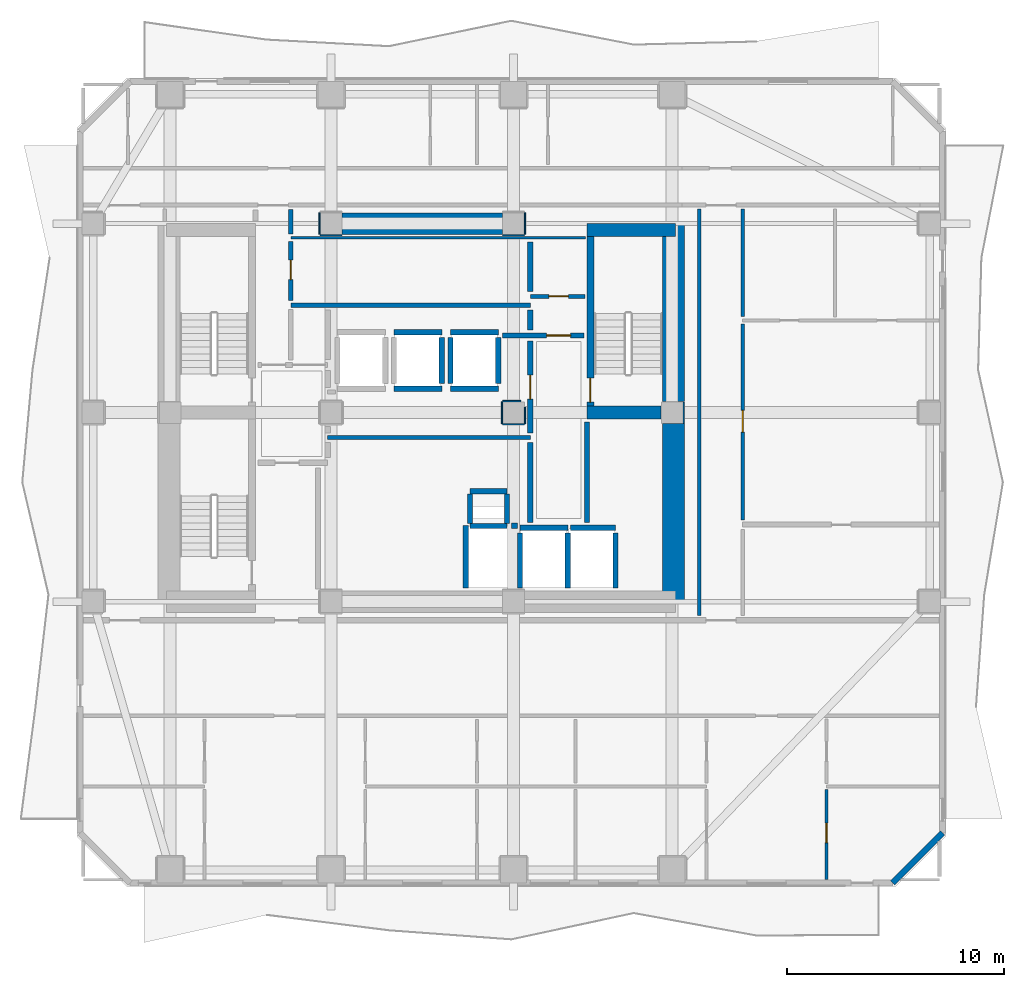
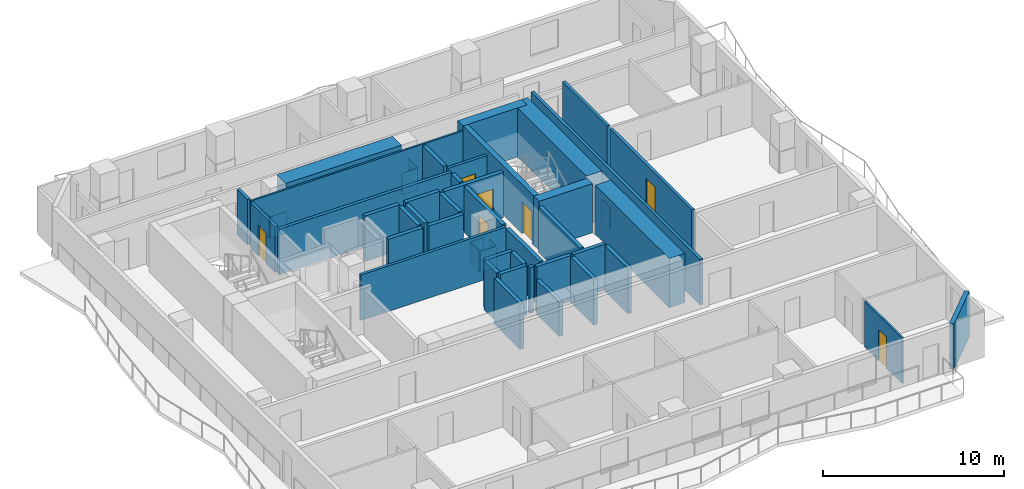
# One storey, part 4 of 9: 50 walls, 7 doors, 7 openings.
"""IFC4 building model written with IfcOpenShell, lengths in metres."""

from ifc_helpers import new_model, si_unit, direction, frame, frame_2d, origin, place, context, subcontext, project, spatial, rectangle, extrude, material, layer, layer_set, type_object, element, fill, save


model = new_model("IFC4")

# Units and contexts
model_context = context("Model", 3, precision=1e-05, world=origin(), true_north=direction((0.0, 1.0)))
body_context = subcontext(model_context, "Body", "Model", "MODEL_VIEW")
ifc_project = project(units=[si_unit("LENGTHUNIT", "METRE"), si_unit("AREAUNIT", "SQUARE_METRE"), si_unit("VOLUMEUNIT", "CUBIC_METRE"), si_unit("PLANEANGLEUNIT", "RADIAN"), si_unit("MASSUNIT", "GRAM", prefix="KILO")], contexts=[model_context])

# Site, building, storey
site_placement = place(None, origin())
site = spatial("IfcSite", under=ifc_project, at=site_placement, CompositionType="ELEMENT")
building_placement = place(site_placement, origin())
building = spatial("IfcBuilding", under=site, at=building_placement, Name="Solanera Arch Residences", CompositionType="ELEMENT")
storey_placement = place(building_placement, frame((0.0, 0.0, 129.320068359375)))
storey = spatial("IfcBuildingStorey", under=building, at=storey_placement, Name="L37", CompositionType="ELEMENT", Elevation=129.320068359375)

# Walls
ifc_material_1 = material(Name="Fire-Rated Gypsum Stud Partition", Category="gypsum")
ifc_layer_1 = layer(ifc_material_1, 0.06005859375)
ifc_layer_set_1 = layer_set([ifc_layer_1], Name="Fire-Rated Gypsum Stud Partition")
wall_type_1 = type_object("IfcWallType", Name="Column Acoustic Furring Wall 60", PredefinedType="PARTITIONING", material=ifc_layer_set_1)
for number, where, z_axis, x_axis, name in (
    (1, (20.300048828125, 38.867919921875, 0.0), (0.0, 0.0, 1.0), (1.0, 0.0, 0.0), "L37 Column Furring 3S"),
    (2, (20.26806640625, 38.89990234375, 0.0), (0.0, 0.0, 1.0), (0.0, 1.0, 0.0), "L37 Column Furring 3W"),
    (3, (28.699951171875, 38.867919921875, 0.0), (0.0, 0.0, 1.0), (1.0, 0.0, 0.0), "L37 Column Furring 4S"),
    (4, (29.73193359375, 38.89990234375, 0.0), (0.0, 0.0, 1.0), (0.0, 1.0, 0.0), "L37 Column Furring 4E"),
):
    element("IfcWall", number, at=place(storey_placement, frame(where, z_axis=z_axis, x_axis=x_axis)), inside=storey, type_object=wall_type_1, Name=name, PredefinedType="PARTITIONING", context=body_context, shape_type="SweptSolid", body=[
        extrude(rectangle(XDim=1.0, YDim=0.06005859375, at=frame_2d((0.5, 0.0))), origin(), (0.0, 0.0, 1.0), 1.449951171875),
    ])
wall_1_placement = place(storey_placement, frame((37.031982421875, 30.2099609375, 0.0), z_axis=(0.0, 0.0, 1.0), x_axis=(0.0, 1.0, 0.0)))
element("IfcWall", 5, at=wall_1_placement, inside=storey, type_object=wall_type_1, Name="L37 Column Furring 6E", PredefinedType="PARTITIONING", context=body_context, shape_type="SweptSolid", body=[
    extrude(rectangle(XDim=0.97998046875, YDim=0.06005859375, at=frame_2d((0.489990234375, 0.0))), origin(), (0.0, 0.0, 1.0), 1.449951171875),
])
wall_2_placement = place(storey_placement, frame((28.699951171875, 30.16796875, 0.0), z_axis=(0.0, 0.0, 1.0), x_axis=(1.0, 0.0, 0.0)))
element("IfcWall", 6, at=wall_2_placement, inside=storey, type_object=wall_type_1, Name="L37 Column Furring 8S", PredefinedType="PARTITIONING", context=body_context, shape_type="SweptSolid", body=[
    extrude(rectangle(XDim=1.0, YDim=0.06005859375, at=frame_2d((0.5, 0.0))), origin(), (0.0, 0.0, 1.0), 1.449951171875),
])
wall_3_placement = place(storey_placement, frame((28.699951171875, 31.23193359375, 0.0), z_axis=(0.0, 0.0, 1.0), x_axis=(1.0, 0.0, 0.0)))
element("IfcWall", 7, at=wall_3_placement, inside=storey, type_object=wall_type_1, Name="L37 Column Furring 8N", PredefinedType="PARTITIONING", context=body_context, shape_type="SweptSolid", body=[
    extrude(rectangle(XDim=0.8349609375, YDim=0.06005859375, at=frame_2d((0.41748046875, 0.0))), origin(), (0.0, 0.0, 1.0), 1.449951171875),
])
wall_4_placement = place(storey_placement, frame((28.66796875, 30.199951171875, 0.0), z_axis=(0.0, 0.0, 1.0), x_axis=(0.0, 1.0, 0.0)))
element("IfcWall", 8, at=wall_4_placement, inside=storey, type_object=wall_type_1, Name="L37 Column Furring 8W", PredefinedType="PARTITIONING", context=body_context, shape_type="SweptSolid", body=[
    extrude(rectangle(XDim=1.0, YDim=0.06005859375, at=frame_2d((0.5, 0.0))), origin(), (0.0, 0.0, 1.0), 1.449951171875),
])
wall_5_placement = place(storey_placement, frame((29.73193359375, 30.199951171875, 0.0), z_axis=(0.0, 0.0, 1.0), x_axis=(0.0, 1.0, 0.0)))
element("IfcWall", 9, at=wall_5_placement, inside=storey, type_object=wall_type_1, Name="L37 Column Furring 8E", PredefinedType="PARTITIONING", context=body_context, shape_type="SweptSolid", body=[
    extrude(rectangle(XDim=0.7470703125, YDim=0.06005859375, at=frame_2d((0.37353515625, 0.0))), origin(), (0.0, 0.0, 1.0), 1.449951171875),
])
ifc_material_2 = material(Name="Concrete C55/67 (f'c = 60 MPa)", Category="concrete")
ifc_layer_2 = layer(ifc_material_2, 1.0)
ifc_layer_set_2 = layer_set([ifc_layer_2], Name="Concrete C55/67 (f'c = 60 MPa)")
wall_type_2 = type_object("IfcWallType", Name="Core Shear Wall CW-1000", PredefinedType="SHEAR", material=ifc_layer_set_2)
wall_6_placement = place(storey_placement, frame((36.56005859375, 22.0, 0.0), z_axis=(0.0, 0.0, 1.0), x_axis=(0.0, 1.0, 0.0)))
element("IfcWall", 10, at=wall_6_placement, inside=storey, type_object=wall_type_2, Name="L37 East Core South Shear Wall", PredefinedType="SHEAR", context=body_context, shape_type="SweptSolid", body=[
    extrude(rectangle(XDim=8.195068359375, YDim=1.0, at=frame_2d((4.09765625, 0.0))), origin(), (0.0, 0.0, 1.0), 3.31982421875),
])
wall_7_placement = place(storey_placement, frame((36.56005859375, 31.205078125, 0.0), z_axis=(0.0, 0.0, 1.0), x_axis=(0.0, 1.0, 0.0)))
element("IfcWall", 11, at=wall_7_placement, inside=storey, type_object=wall_type_2, Name="L37 East Core North Shear Wall", PredefinedType="SHEAR", context=body_context, shape_type="SweptSolid", body=[
    extrude(rectangle(XDim=8.19482421875, YDim=1.0, at=frame_2d((4.097412109375, 0.0))), origin(), (0.0, 0.0, 1.0), 3.31982421875),
])
wall_8_placement = place(storey_placement, frame((21.304931640625, 39.39990234375, 0.0), z_axis=(0.0, 0.0, 1.0), x_axis=(1.0, 0.0, 0.0)))
element("IfcWall", 12, at=wall_8_placement, inside=storey, type_object=wall_type_2, Name="L37 Central North Core Shear Wall", PredefinedType="SHEAR", context=body_context, shape_type="SweptSolid", body=[
    extrude(rectangle(XDim=7.39013671875, YDim=1.0, at=frame_2d((3.695068359375, 0.0))), origin(), (0.0, 0.0, 1.0), 3.31982421875),
])

# Wall, opening, door
ifc_material_3 = material(Name="Concrete C40/50 (f'c = 45 MPa)", Category="concrete")
ifc_layer_3 = layer(ifc_material_3, 0.320068359375)
ifc_layer_set_3 = layer_set([ifc_layer_3], Name="Concrete C40/50 (f'c = 45 MPa)")
wall_type_3 = type_object("IfcWallType", Name="Core Shear Wall CW-320", PredefinedType="SHEAR", material=ifc_layer_set_3)
wall_9_placement = place(storey_placement, frame((32.739990234375, 31.0, 0.0), z_axis=(0.0, 0.0, 1.0), x_axis=(0.0, 1.0, 0.0)))
wall_9 = element("IfcWall", 13, at=wall_9_placement, inside=storey, type_object=wall_type_3, Name="L37 Stair ST-T2 West Shear Wall", PredefinedType="SHEAR", context=body_context, shape_type="SweptSolid", body=[
    extrude(rectangle(XDim=7.800048828125, YDim=0.320068359375, at=frame_2d((3.89990234375, 0.0))), origin(), (0.0, 0.0, 1.0), 3.31982421875),
])
opening_1_placement = place(wall_9_placement, frame((0.18994140625, 0.0, 0.0)))
opening_1 = element("IfcOpeningElement", 14, at=opening_1_placement, cuts=wall_9, Name="Opening DF-01", PredefinedType="OPENING", context=body_context, shape_type="SweptSolid", body=[
    extrude(rectangle(XDim=1.10009765625, YDim=2.14990234375, at=frame_2d((0.550048828125, 1.074951171875))), frame((0.0, 0.169921875, 0.0), z_axis=(0.0, -1.0, 0.0), x_axis=(1.0, 0.0, 0.0)), (0.0, 0.0, 1.0), 0.3401),
])
ifc_material_4 = material(Name="Fire-Rated Architectural Hardwood", Category="wood")
door_type_1 = type_object("IfcDoorType", Name="Stair Exit Fire Door DF-01", OperationType="NOTDEFINED", PredefinedType="DOOR", material=ifc_material_4)
door_1_placement = place(opening_1_placement, origin())
door_1 = element("IfcDoor", 15, at=door_1_placement, inside=storey, type_object=door_type_1, Name="DR-L37-STAIR-ST-T2", OperationType="SINGLE_SWING_LEFT", OverallHeight=2.14990234375, OverallWidth=1.10009765625, PredefinedType="DOOR", context=body_context, shape_type="SweptSolid", body=[
    extrude(rectangle(XDim=1.10009765625, YDim=2.14990234375, at=frame_2d((0.550048828125, 1.074951171875))), frame((0.0, 0.02490234375, 0.0), z_axis=(0.0, -1.0, 0.0), x_axis=(1.0, 0.0, 0.0)), (0.0, 0.0, 1.0), 0.050048828125),
])
fill(opening_1, door_1)

# Walls
ifc_material_5 = material(Name="Concrete C40/50 (f'c = 45 MPa)", Category="concrete")
ifc_layer_4 = layer(ifc_material_5, 0.60009765625)
ifc_layer_set_4 = layer_set([ifc_layer_4], Name="Concrete C40/50 (f'c = 45 MPa)")
wall_type_4 = type_object("IfcWallType", Name="Core Shear Wall CW-600", PredefinedType="SHEAR", material=ifc_layer_set_4)
wall_10_placement = place(storey_placement, frame((32.580078125, 39.10009765625, 0.0), z_axis=(0.0, 0.0, 1.0), x_axis=(1.0, 0.0, 0.0)))
element("IfcWall", 16, at=wall_10_placement, inside=storey, type_object=wall_type_4, Name="L37 North-East Core Shear Wall", PredefinedType="SHEAR", context=body_context, shape_type="SweptSolid", body=[
    extrude(rectangle(XDim=4.079833984375, YDim=0.60009765625, at=frame_2d((2.0400390625, 0.0))), origin(), (0.0, 0.0, 1.0), 3.31982421875),
])
wall_11_placement = place(storey_placement, frame((32.580078125, 30.699951171875, 0.0), z_axis=(0.0, 0.0, 1.0), x_axis=(1.0, 0.0, 0.0)))
element("IfcWall", 17, at=wall_11_placement, inside=storey, type_object=wall_type_4, Name="L37 East Stair Far-Landing Shear Wall", PredefinedType="SHEAR", context=body_context, shape_type="SweptSolid", body=[
    extrude(rectangle(XDim=3.4150390625, YDim=0.60009765625, at=frame_2d((1.70751953125, 0.0))), origin(), (0.0, 0.0, 1.0), 3.31982421875),
])
ifc_material_6 = material(Name="Autoclaved Aerated Concrete Blockwork", Category="masonry")
ifc_layer_5 = layer(ifc_material_6, 0.179931640625)
ifc_layer_set_5 = layer_set([ifc_layer_5], Name="Autoclaved Aerated Concrete Blockwork")
wall_type_5 = type_object("IfcWallType", Name="Corridor Fire Partition 180", PredefinedType="PARTITIONING", material=ifc_layer_set_5)
wall_12_placement = place(storey_placement, frame((20.64990234375, 29.550048828125, 0.0), z_axis=(0.0, 0.0, 1.0), x_axis=(1.0, 0.0, 0.0)))
element("IfcWall", 18, at=wall_12_placement, inside=storey, type_object=wall_type_5, Name="L37 Interior Partition H9", PredefinedType="PARTITIONING", context=body_context, shape_type="SweptSolid", body=[
    extrude(rectangle(XDim=9.3251953125, YDim=0.179931640625, at=frame_2d((4.66259765625, 0.0))), origin(), (0.0, 0.0, 1.0), 3.079833984375),
])

# Wall, opening, door
wall_13_placement = place(storey_placement, frame((29.97509765625, 36.050048828125, 0.0), z_axis=(0.0, 0.0, 1.0), x_axis=(1.0, 0.0, 0.0)))
wall_13 = element("IfcWall", 19, at=wall_13_placement, inside=storey, type_object=wall_type_5, Name="L37 Interior Partition H11", PredefinedType="PARTITIONING", context=body_context, shape_type="SweptSolid", body=[
    extrude(rectangle(XDim=2.5048828125, YDim=0.179931640625, at=frame_2d((1.25244140625, 0.0))), origin(), (0.0, 0.0, 1.0), 3.079833984375),
])
opening_2_placement = place(wall_13_placement, frame((0.85205078125, 0.0, 0.0)))
opening_2 = element("IfcOpeningElement", 20, at=opening_2_placement, cuts=wall_13, Name="Opening DI-02", PredefinedType="OPENING", context=body_context, shape_type="SweptSolid", body=[
    extrude(rectangle(XDim=0.89990234375, YDim=2.10009765625, at=frame_2d((0.449951171875, 1.050048828125))), frame((0.0, 0.10009765625, 0.0), z_axis=(0.0, -1.0, 0.0), x_axis=(1.0, 0.0, 0.0)), (0.0, 0.0, 1.0), 0.1999),
])
ifc_material_7 = material(Name="Fire-Rated Architectural Hardwood", Category="wood")
door_type_2 = type_object("IfcDoorType", Name="Suite Room Swing Door DI-02", OperationType="NOTDEFINED", PredefinedType="DOOR", material=ifc_material_7)
door_2_placement = place(opening_2_placement, origin())
door_2 = element("IfcDoor", 21, at=door_2_placement, inside=storey, type_object=door_type_2, Name="DR-L37-IN-015", OperationType="SINGLE_SWING_RIGHT", OverallHeight=2.10009765625, OverallWidth=0.89990234375, PredefinedType="DOOR", context=body_context, shape_type="SweptSolid", body=[
    extrude(rectangle(XDim=0.89990234375, YDim=2.10009765625, at=frame_2d((0.449951171875, 1.050048828125))), frame((0.0, 0.02490234375, 0.0), z_axis=(0.0, -1.0, 0.0), x_axis=(1.0, 0.0, 0.0)), (0.0, 0.0, 1.0), 0.050048828125),
])
fill(opening_2, door_2)

# Wall
wall_14_placement = place(storey_placement, frame((37.75, 21.367919921875, 0.0), z_axis=(0.0, 0.0, 1.0), x_axis=(0.0, 1.0, 0.0)))
element("IfcWall", 22, at=wall_14_placement, inside=storey, type_object=wall_type_5, Name="L37 Interior Partition V10", PredefinedType="PARTITIONING", context=body_context, shape_type="SweptSolid", body=[
    extrude(rectangle(XDim=18.694091796875, YDim=0.179931640625, at=frame_2d((9.34716796875, 0.0))), origin(), (0.0, 0.0, 1.0), 3.079833984375),
])

# Wall, opening, door
wall_15_placement = place(storey_placement, frame((39.75, 25.76806640625, 0.0), z_axis=(0.0, 0.0, 1.0), x_axis=(0.0, 1.0, 0.0)))
wall_15 = element("IfcWall", 23, at=wall_15_placement, inside=storey, type_object=wall_type_5, Name="L37 Interior Partition V11 2", PredefinedType="PARTITIONING", context=body_context, shape_type="SweptSolid", body=[
    extrude(rectangle(XDim=9.013916015625, YDim=0.179931640625, at=frame_2d((4.5068359375, 0.0))), origin(), (0.0, 0.0, 1.0), 3.079833984375),
])
opening_3_placement = place(wall_15_placement, frame((4.041015625, 0.0, 0.0)))
opening_3 = element("IfcOpeningElement", 24, at=opening_3_placement, cuts=wall_15, Name="Opening DI-01", PredefinedType="OPENING", context=body_context, shape_type="SweptSolid", body=[
    extrude(rectangle(XDim=1.0, YDim=2.14990234375, at=frame_2d((0.5, 1.074951171875))), frame((0.0, 0.10009765625, 0.0), z_axis=(0.0, -1.0, 0.0), x_axis=(1.0, 0.0, 0.0)), (0.0, 0.0, 1.0), 0.1999),
])
ifc_material_8 = material(Name="Fire-Rated Architectural Hardwood", Category="wood")
door_type_3 = type_object("IfcDoorType", Name="Unit Entrance Fire Door DI-01", OperationType="NOTDEFINED", PredefinedType="DOOR", material=ifc_material_8)
door_3_placement = place(opening_3_placement, origin())
door_3 = element("IfcDoor", 25, at=door_3_placement, inside=storey, type_object=door_type_3, Name="DR-L37-IN-035", OperationType="SINGLE_SWING_RIGHT", OverallHeight=2.14990234375, OverallWidth=1.0, PredefinedType="DOOR", context=body_context, shape_type="SweptSolid", body=[
    extrude(rectangle(XDim=1.0, YDim=2.14990234375, at=frame_2d((0.5, 1.074951171875))), frame((0.0, 0.02490234375, 0.0), z_axis=(0.0, -1.0, 0.0), x_axis=(1.0, 0.0, 0.0)), (0.0, 0.0, 1.0), 0.050048828125),
])
fill(opening_3, door_3)

# Walls
wall_16_placement = place(storey_placement, frame((39.75, 35.117919921875, 0.0), z_axis=(0.0, 0.0, 1.0), x_axis=(0.0, 1.0, 0.0)))
element("IfcWall", 26, at=wall_16_placement, inside=storey, type_object=wall_type_5, Name="L37 Interior Partition V11 3", PredefinedType="PARTITIONING", context=body_context, shape_type="SweptSolid", body=[
    extrude(rectangle(XDim=4.944091796875, YDim=0.179931640625, at=frame_2d((2.47216796875, 0.0))), origin(), (0.0, 0.0, 1.0), 3.079833984375),
])
ifc_material_9 = material(Name="Precast Concrete C35/45", Category="concrete")
ifc_layer_6 = layer(ifc_material_9, 0.280029296875)
ifc_layer_set_6 = layer_set([ifc_layer_6], Name="Precast Concrete C35/45")
wall_type_6 = type_object("IfcWallType", Name="Exterior Wall Precast Masonry-Frame 280", PredefinedType="STANDARD", material=ifc_layer_set_6)
wall_17_placement = place(storey_placement, frame((48.945068359375, 11.35498046875, 0.0), z_axis=(0.0, 0.0, 1.0), x_axis=(-0.707106781187, -0.707106781187, 0.0)))
element("IfcWall", 27, at=wall_17_placement, inside=storey, type_object=wall_type_6, Name="L37 Tower Exterior Precast Masonry-Frame Wall CH5", PredefinedType="STANDARD", context=body_context, shape_type="SweptSolid", body=[
    extrude(rectangle(XDim=3.252685546875, YDim=0.280029296875, at=frame_2d((1.62646484375, 0.0))), origin(), (0.0, 0.0, 1.0), 3.079833984375),
])
ifc_material_10 = material(Name="Autoclaved Aerated Concrete Blockwork", Category="masonry")
ifc_layer_7 = layer(ifc_material_10, 0.199951171875)
ifc_layer_set_7 = layer_set([ifc_layer_7], Name="Autoclaved Aerated Concrete Blockwork")
wall_type_7 = type_object("IfcWallType", Name="Party Wall Acoustic 200", PredefinedType="PARTITIONING", material=ifc_layer_set_7)
wall_18_placement = place(storey_placement, frame((18.949951171875, 35.64990234375, 0.0), z_axis=(0.0, 0.0, 1.0), x_axis=(1.0, 0.0, 0.0)))
element("IfcWall", 28, at=wall_18_placement, inside=storey, type_object=wall_type_7, Name="L37 Interior Partition H7", PredefinedType="PARTITIONING", context=body_context, shape_type="SweptSolid", body=[
    extrude(rectangle(XDim=11.025146484375, YDim=0.199951171875, at=frame_2d((5.5126953125, 0.0))), origin(), (0.0, 0.0, 1.0), 3.079833984375),
])

# Wall, opening, door
wall_19_placement = place(storey_placement, frame((18.949951171875, 35.85791015625, 0.0), z_axis=(0.0, 0.0, 1.0), x_axis=(0.0, 1.0, 0.0)))
wall_19 = element("IfcWall", 29, at=wall_19_placement, inside=storey, type_object=wall_type_7, Name="L37 Interior Partition V6 2", PredefinedType="PARTITIONING", context=body_context, shape_type="SweptSolid", body=[
    extrude(rectangle(XDim=2.72412109375, YDim=0.199951171875, at=frame_2d((1.362060546875, 0.0))), origin(), (0.0, 0.0, 1.0), 3.079833984375),
])
opening_4_placement = place(wall_19_placement, frame((0.967041015625, 0.0, 0.0)))
opening_4 = element("IfcOpeningElement", 30, at=opening_4_placement, cuts=wall_19, Name="Opening DI-02", PredefinedType="OPENING", context=body_context, shape_type="SweptSolid", body=[
    extrude(rectangle(XDim=0.89990234375, YDim=2.10009765625, at=frame_2d((0.449951171875, 1.050048828125))), frame((0.0, 0.110107421875, 0.0), z_axis=(0.0, -1.0, 0.0), x_axis=(1.0, 0.0, 0.0)), (0.0, 0.0, 1.0), 0.22),
])
door_4_placement = place(opening_4_placement, origin())
door_4 = element("IfcDoor", 31, at=door_4_placement, inside=storey, type_object=door_type_2, Name="DR-L37-IN-016", OperationType="SINGLE_SWING_LEFT", OverallHeight=2.10009765625, OverallWidth=0.89990234375, PredefinedType="DOOR", context=body_context, shape_type="SweptSolid", body=[
    extrude(rectangle(XDim=0.89990234375, YDim=2.10009765625, at=frame_2d((0.449951171875, 1.050048828125))), frame((0.0, 0.02490234375, 0.0), z_axis=(0.0, -1.0, 0.0), x_axis=(1.0, 0.0, 0.0)), (0.0, 0.0, 1.0), 0.050048828125),
])
fill(opening_4, door_4)

# Walls
wall_20_placement = place(storey_placement, frame((18.949951171875, 38.91796875, 0.0), z_axis=(0.0, 0.0, 1.0), x_axis=(0.0, 1.0, 0.0)))
element("IfcWall", 32, at=wall_20_placement, inside=storey, type_object=wall_type_7, Name="L37 Interior Partition V6 3", PredefinedType="PARTITIONING", context=body_context, shape_type="SweptSolid", body=[
    extrude(rectangle(XDim=1.134033203125, YDim=0.199951171875, at=frame_2d((0.56689453125, 0.0))), origin(), (0.0, 0.0, 1.0), 3.079833984375),
])
ifc_material_11 = material(Name="Concrete C40/50 (f'c = 45 MPa)", Category="concrete")
ifc_layer_8 = layer(ifc_material_11, 0.239990234375)
ifc_layer_set_8 = layer_set([ifc_layer_8], Name="Concrete C40/50 (f'c = 45 MPa)")
wall_type_8 = type_object("IfcWallType", Name="Ramp Bearing Shear Wall RW-240", PredefinedType="SHEAR", material=ifc_layer_set_8)
for number, where, z_axis, x_axis, name in (
    (33, (27.199951171875, 25.47998046875, 0.0), (0.0, 0.0, 1.0), (1.0, 0.0, 0.0), "L37 Core MEP Riser South Shaft Wall"),
    (34, (27.199951171875, 27.080078125, 0.0), (0.0, 0.0, 1.0), (1.0, 0.0, 0.0), "L37 Core MEP Riser North Shaft Wall"),
):
    element("IfcWall", number, at=place(storey_placement, frame(where, z_axis=z_axis, x_axis=x_axis)), inside=storey, type_object=wall_type_8, Name=name, PredefinedType="SHEAR", context=body_context, shape_type="SweptSolid", body=[
        extrude(rectangle(XDim=1.699951171875, YDim=0.239990234375, at=frame_2d((0.85009765625, 0.0))), origin(), (0.0, 0.0, 1.0), 3.31982421875),
    ])
for number, where, z_axis, x_axis, name in (
    (35, (27.199951171875, 25.60009765625, 0.0), (0.0, 0.0, 1.0), (0.0, 1.0, 0.0), "L37 Core MEP Riser West Shaft Wall"),
    (36, (28.89990234375, 25.60009765625, 0.0), (0.0, 0.0, 1.0), (0.0, 1.0, 0.0), "L37 Core MEP Riser East Shaft Wall"),
):
    element("IfcWall", number, at=place(storey_placement, frame(where, z_axis=z_axis, x_axis=x_axis)), inside=storey, type_object=wall_type_8, Name=name, PredefinedType="SHEAR", context=body_context, shape_type="SweptSolid", body=[
        extrude(rectangle(XDim=1.35986328125, YDim=0.239990234375, at=frame_2d((0.679931640625, 0.0))), origin(), (0.0, 0.0, 1.0), 3.31982421875),
    ])
ifc_material_12 = material(Name="Autoclaved Aerated Concrete Blockwork", Category="masonry")
ifc_layer_9 = layer(ifc_material_12, 0.239990234375)
ifc_layer_set_9 = layer_set([ifc_layer_9], Name="Autoclaved Aerated Concrete Blockwork")
wall_type_9 = type_object("IfcWallType", Name="Shaft Wall Fire-Rated 240", PredefinedType="PARTITIONING", material=ifc_layer_set_9)
for number, where, z_axis, x_axis, name in (
    (37, (23.699951171875, 31.800048828125, 0.0), (0.0, 0.0, 1.0), (1.0, 0.0, 0.0), "L37 Lift PL-M2 Hoistway Wall S"),
    (38, (23.699951171875, 34.39990234375, 0.0), (0.0, 0.0, 1.0), (1.0, 0.0, 0.0), "L37 Lift PL-M2 Hoistway Wall N"),
):
    element("IfcWall", number, at=place(storey_placement, frame(where, z_axis=z_axis, x_axis=x_axis)), inside=storey, type_object=wall_type_9, Name=name, PredefinedType="PARTITIONING", context=body_context, shape_type="SweptSolid", body=[
        extrude(rectangle(XDim=2.199951171875, YDim=0.239990234375, at=frame_2d((1.10009765625, 0.0))), origin(), (0.0, 0.0, 1.0), 3.079833984375),
    ])
wall_21_placement = place(storey_placement, frame((25.89990234375, 32.048095703125, 0.0), z_axis=(0.0, 0.0, 1.0), x_axis=(0.0, 1.0, 0.0)))
element("IfcWall", 39, at=wall_21_placement, inside=storey, type_object=wall_type_9, Name="L37 Lift PL-M2 Hoistway Wall E", PredefinedType="PARTITIONING", context=body_context, shape_type="SweptSolid", body=[
    extrude(rectangle(XDim=2.10400390625, YDim=0.239990234375, at=frame_2d((1.052001953125, 0.0))), origin(), (0.0, 0.0, 1.0), 3.079833984375),
])
for number, where, z_axis, x_axis, name in (
    (40, (26.300048828125, 31.800048828125, 0.0), (0.0, 0.0, 1.0), (1.0, 0.0, 0.0), "L37 Lift PL-M3 Hoistway Wall S"),
    (41, (26.300048828125, 34.39990234375, 0.0), (0.0, 0.0, 1.0), (1.0, 0.0, 0.0), "L37 Lift PL-M3 Hoistway Wall N"),
):
    element("IfcWall", number, at=place(storey_placement, frame(where, z_axis=z_axis, x_axis=x_axis)), inside=storey, type_object=wall_type_9, Name=name, PredefinedType="PARTITIONING", context=body_context, shape_type="SweptSolid", body=[
        extrude(rectangle(XDim=2.199951171875, YDim=0.239990234375, at=frame_2d((1.10009765625, 0.0))), origin(), (0.0, 0.0, 1.0), 3.079833984375),
    ])
for number, where, z_axis, x_axis, name in (
    (42, (26.300048828125, 32.048095703125, 0.0), (0.0, 0.0, 1.0), (0.0, 1.0, 0.0), "L37 Lift PL-M3 Hoistway Wall W"),
    (43, (28.5, 32.048095703125, 0.0), (0.0, 0.0, 1.0), (0.0, 1.0, 0.0), "L37 Lift PL-M3 Hoistway Wall E"),
):
    element("IfcWall", number, at=place(storey_placement, frame(where, z_axis=z_axis, x_axis=x_axis)), inside=storey, type_object=wall_type_9, Name=name, PredefinedType="PARTITIONING", context=body_context, shape_type="SweptSolid", body=[
        extrude(rectangle(XDim=2.10400390625, YDim=0.239990234375, at=frame_2d((1.052001953125, 0.0))), origin(), (0.0, 0.0, 1.0), 3.079833984375),
    ])
wall_22_placement = place(storey_placement, frame((29.5, 25.39990234375, 0.0), z_axis=(0.0, 0.0, 1.0), x_axis=(1.0, 0.0, 0.0)))
element("IfcWall", 44, at=wall_22_placement, inside=storey, type_object=wall_type_9, Name="L37 Lift FFL-1 Hoistway Wall N", PredefinedType="PARTITIONING", context=body_context, shape_type="SweptSolid", body=[
    extrude(rectangle(XDim=2.199951171875, YDim=0.239990234375, at=frame_2d((1.10009765625, 0.0))), origin(), (0.0, 0.0, 1.0), 3.079833984375),
])
wall_23_placement = place(storey_placement, frame((29.5, 22.632080078125, 0.0), z_axis=(0.0, 0.0, 1.0), x_axis=(0.0, 1.0, 0.0)))
element("IfcWall", 45, at=wall_23_placement, inside=storey, type_object=wall_type_9, Name="L37 Lift FFL-1 Hoistway Wall W", PredefinedType="PARTITIONING", context=body_context, shape_type="SweptSolid", body=[
    extrude(rectangle(XDim=2.52001953125, YDim=0.239990234375, at=frame_2d((1.260009765625, 0.0))), origin(), (0.0, 0.0, 1.0), 2.31494140625),
])
wall_24_placement = place(storey_placement, frame((31.699951171875, 22.6298828125, 0.0), z_axis=(0.0, 0.0, 1.0), x_axis=(0.0, 1.0, 0.0)))
element("IfcWall", 46, at=wall_24_placement, inside=storey, type_object=wall_type_9, Name="L37 Lift FFL-1 Hoistway Wall E", PredefinedType="PARTITIONING", context=body_context, shape_type="SweptSolid", body=[
    extrude(rectangle(XDim=2.522216796875, YDim=0.239990234375, at=frame_2d((1.26123046875, 0.0))), origin(), (0.0, 0.0, 1.0), 3.079833984375),
])
wall_25_placement = place(storey_placement, frame((31.827880859375, 25.39990234375, 0.0), z_axis=(0.0, 0.0, 1.0), x_axis=(1.0, 0.0, 0.0)))
element("IfcWall", 47, at=wall_25_placement, inside=storey, type_object=wall_type_9, Name="L37 Lift FFL-2 Hoistway Wall N", PredefinedType="PARTITIONING", context=body_context, shape_type="SweptSolid", body=[
    extrude(rectangle(XDim=2.072021484375, YDim=0.239990234375, at=frame_2d((1.0361328125, 0.0))), origin(), (0.0, 0.0, 1.0), 3.079833984375),
])
wall_26_placement = place(storey_placement, frame((33.89990234375, 22.6298828125, 0.0), z_axis=(0.0, 0.0, 1.0), x_axis=(0.0, 1.0, 0.0)))
element("IfcWall", 48, at=wall_26_placement, inside=storey, type_object=wall_type_9, Name="L37 Lift FFL-2 Hoistway Wall E", PredefinedType="PARTITIONING", context=body_context, shape_type="SweptSolid", body=[
    extrude(rectangle(XDim=2.522216796875, YDim=0.239990234375, at=frame_2d((1.26123046875, 0.0))), origin(), (0.0, 0.0, 1.0), 3.079833984375),
])
wall_27_placement = place(storey_placement, frame((29.10302734375, 25.5, 0.0), z_axis=(0.0, 0.0, 1.0), x_axis=(1.0, 0.0, 0.0)))
element("IfcWall", 49, at=wall_27_placement, inside=storey, type_object=wall_type_9, Name="L37 Lift SVL-1 Hoistway Wall N", PredefinedType="PARTITIONING", context=body_context, shape_type="SweptSolid", body=[
    extrude(rectangle(XDim=0.26904296875, YDim=0.239990234375, at=frame_2d((0.134521484375, 0.0))), origin(), (0.0, 0.0, 1.0), 3.079833984375),
])
wall_28_placement = place(storey_placement, frame((27.0, 22.6298828125, 0.0), z_axis=(0.0, 0.0, 1.0), x_axis=(0.0, 1.0, 0.0)))
element("IfcWall", 50, at=wall_28_placement, inside=storey, type_object=wall_type_9, Name="L37 Lift SVL-1 Hoistway Wall W", PredefinedType="PARTITIONING", context=body_context, shape_type="SweptSolid", body=[
    extrude(rectangle(XDim=2.8681640625, YDim=0.239990234375, at=frame_2d((1.43408203125, 0.0))), origin(), (0.0, 0.0, 1.0), 3.079833984375),
])

# Wall, opening, door
wall_29_placement = place(storey_placement, frame((28.701904296875, 34.25, 0.0), z_axis=(0.0, 0.0, 1.0), x_axis=(1.0, 0.0, 0.0)))
wall_29 = element("IfcWall", 51, at=wall_29_placement, inside=storey, type_object=wall_type_9, Name="L37 Interior Partition H6", PredefinedType="PARTITIONING", context=body_context, shape_type="SweptSolid", body=[
    extrude(rectangle(XDim=3.748046875, YDim=0.239990234375, at=frame_2d((1.8740234375, 0.0))), origin(), (0.0, 0.0, 1.0), 3.079833984375),
])
opening_5_placement = place(wall_29_placement, frame((2.02490234375, 0.0, 0.0)))
opening_5 = element("IfcOpeningElement", 52, at=opening_5_placement, cuts=wall_29, Name="Opening DF-02", PredefinedType="OPENING", context=body_context, shape_type="SweptSolid", body=[
    extrude(rectangle(XDim=1.10009765625, YDim=2.14990234375, at=frame_2d((0.550048828125, 1.074951171875))), frame((0.0, 0.1298828125, 0.0), z_axis=(0.0, -1.0, 0.0), x_axis=(1.0, 0.0, 0.0)), (0.0, 0.0, 1.0), 0.26),
])
ifc_material_13 = material(Name="Fire-Rated Architectural Hardwood", Category="wood")
door_type_4 = type_object("IfcDoorType", Name="Firefighting Lobby Fire Door DF-02", OperationType="NOTDEFINED", PredefinedType="DOOR", material=ifc_material_13)
door_5_placement = place(opening_5_placement, origin())
door_5 = element("IfcDoor", 53, at=door_5_placement, inside=storey, type_object=door_type_4, Name="DR-L37-IN-007", OperationType="SINGLE_SWING_RIGHT", OverallHeight=2.14990234375, OverallWidth=1.10009765625, PredefinedType="DOOR", context=body_context, shape_type="SweptSolid", body=[
    extrude(rectangle(XDim=1.10009765625, YDim=2.14990234375, at=frame_2d((0.550048828125, 1.074951171875))), frame((0.0, 0.02490234375, 0.0), z_axis=(0.0, -1.0, 0.0), x_axis=(1.0, 0.0, 0.0)), (0.0, 0.0, 1.0), 0.050048828125),
])
fill(opening_5, door_5)

# Wall
wall_30_placement = place(storey_placement, frame((29.97509765625, 25.64794921875, 0.0), z_axis=(0.0, 0.0, 1.0), x_axis=(0.0, 1.0, 0.0)))
element("IfcWall", 54, at=wall_30_placement, inside=storey, type_object=wall_type_9, Name="L37 Interior Partition V4 1", PredefinedType="PARTITIONING", context=body_context, shape_type="SweptSolid", body=[
    extrude(rectangle(XDim=3.68408203125, YDim=0.239990234375, at=frame_2d((1.842041015625, 0.0))), origin(), (0.0, 0.0, 1.0), 3.079833984375),
])

# Wall, opening, door
wall_31_placement = place(storey_placement, frame((29.97509765625, 29.76806640625, 0.0), z_axis=(0.0, 0.0, 1.0), x_axis=(0.0, 1.0, 0.0)))
wall_31 = element("IfcWall", 55, at=wall_31_placement, inside=storey, type_object=wall_type_9, Name="L37 Interior Partition V4 2", PredefinedType="PARTITIONING", context=body_context, shape_type="SweptSolid", body=[
    extrude(rectangle(XDim=4.23388671875, YDim=0.239990234375, at=frame_2d((2.116943359375, 0.0))), origin(), (0.0, 0.0, 1.0), 3.079833984375),
])
opening_6_placement = place(wall_31_placement, frame((1.556884765625, 0.0, 0.0)))
opening_6 = element("IfcOpeningElement", 56, at=opening_6_placement, cuts=wall_31, Name="Opening DF-02", PredefinedType="OPENING", context=body_context, shape_type="SweptSolid", body=[
    extrude(rectangle(XDim=1.10009765625, YDim=2.14990234375, at=frame_2d((0.550048828125, 1.074951171875))), frame((0.0, 0.1298828125, 0.0), z_axis=(0.0, -1.0, 0.0), x_axis=(1.0, 0.0, 0.0)), (0.0, 0.0, 1.0), 0.26),
])
door_6_placement = place(opening_6_placement, origin())
door_6 = element("IfcDoor", 57, at=door_6_placement, inside=storey, type_object=door_type_4, Name="DR-L37-IN-006", OperationType="SINGLE_SWING_LEFT", OverallHeight=2.14990234375, OverallWidth=1.10009765625, PredefinedType="DOOR", context=body_context, shape_type="SweptSolid", body=[
    extrude(rectangle(XDim=1.10009765625, YDim=2.14990234375, at=frame_2d((0.550048828125, 1.074951171875))), frame((0.0, 0.02490234375, 0.0), z_axis=(0.0, -1.0, 0.0), x_axis=(1.0, 0.0, 0.0)), (0.0, 0.0, 1.0), 0.050048828125),
])
fill(opening_6, door_6)

# Walls
wall_32_placement = place(storey_placement, frame((29.97509765625, 34.498046875, 0.0), z_axis=(0.0, 0.0, 1.0), x_axis=(0.0, 1.0, 0.0)))
element("IfcWall", 58, at=wall_32_placement, inside=storey, type_object=wall_type_9, Name="L37 Interior Partition V4 3", PredefinedType="PARTITIONING", context=body_context, shape_type="SweptSolid", body=[
    extrude(rectangle(XDim=0.924072265625, YDim=0.239990234375, at=frame_2d((0.4619140625, 0.0))), origin(), (0.0, 0.0, 1.0), 3.079833984375),
])
wall_33_placement = place(storey_placement, frame((29.97509765625, 36.26806640625, 0.0), z_axis=(0.0, 0.0, 1.0), x_axis=(0.0, 1.0, 0.0)))
element("IfcWall", 59, at=wall_33_placement, inside=storey, type_object=wall_type_9, Name="L37 Interior Partition V4 4", PredefinedType="PARTITIONING", context=body_context, shape_type="SweptSolid", body=[
    extrude(rectangle(XDim=2.2939453125, YDim=0.239990234375, at=frame_2d((1.14697265625, 0.0))), origin(), (0.0, 0.0, 1.0), 3.079833984375),
])
wall_34_placement = place(storey_placement, frame((32.580078125, 25.64794921875, 0.0), z_axis=(0.0, 0.0, 1.0), x_axis=(0.0, 1.0, 0.0)))
element("IfcWall", 60, at=wall_34_placement, inside=storey, type_object=wall_type_9, Name="L37 Interior Partition V5", PredefinedType="PARTITIONING", context=body_context, shape_type="SweptSolid", body=[
    extrude(rectangle(XDim=4.6220703125, YDim=0.239990234375, at=frame_2d((2.31103515625, 0.0))), origin(), (0.0, 0.0, 1.0), 3.079833984375),
])
ifc_material_14 = material(Name="Fire-Rated Gypsum Stud Partition", Category="gypsum")
ifc_layer_10 = layer(ifc_material_14, 0.1201171875)
ifc_layer_set_10 = layer_set([ifc_layer_10], Name="Fire-Rated Gypsum Stud Partition")
wall_type_10 = type_object("IfcWallType", Name="Unit Drywall Partition 120", PredefinedType="PARTITIONING", material=ifc_layer_set_10)
wall_35_placement = place(storey_placement, frame((18.949951171875, 38.75, 0.0), z_axis=(0.0, 0.0, 1.0), x_axis=(1.0, 0.0, 0.0)))
element("IfcWall", 61, at=wall_35_placement, inside=storey, type_object=wall_type_10, Name="L37 Interior Partition H20", PredefinedType="PARTITIONING", context=body_context, shape_type="SweptSolid", body=[
    extrude(rectangle(XDim=13.56005859375, YDim=0.1201171875, at=frame_2d((6.780029296875, 0.0))), origin(), (0.0, 0.0, 1.0), 3.079833984375),
])

# Wall, opening, door
wall_36_placement = place(storey_placement, frame((43.60595703125, 9.20703125, 0.0), z_axis=(0.0, 0.0, 1.0), x_axis=(0.0, 1.0, 0.0)))
wall_36 = element("IfcWall", 62, at=wall_36_placement, inside=storey, type_object=wall_type_10, Name="L37 Interior Partition V23 1", PredefinedType="PARTITIONING", context=body_context, shape_type="SweptSolid", body=[
    extrude(rectangle(XDim=4.158935546875, YDim=0.1201171875, at=frame_2d((2.07958984375, 0.0))), origin(), (0.0, 0.0, 1.0), 3.079833984375),
])
opening_7_placement = place(wall_36_placement, frame((1.7080078125, 0.0, 0.0)))
opening_7 = element("IfcOpeningElement", 63, at=opening_7_placement, cuts=wall_36, Name="Opening DI-03", PredefinedType="OPENING", context=body_context, shape_type="SweptSolid", body=[
    extrude(rectangle(XDim=0.89990234375, YDim=2.10009765625, at=frame_2d((0.449951171875, 1.050048828125))), frame((0.0, 0.070068359375, 0.0), z_axis=(0.0, -1.0, 0.0), x_axis=(1.0, 0.0, 0.0)), (0.0, 0.0, 1.0), 0.1401),
])
ifc_material_15 = material(Name="Fire-Rated Architectural Hardwood", Category="wood")
door_type_5 = type_object("IfcDoorType", Name="Bedroom Swing Door DI-03", OperationType="NOTDEFINED", PredefinedType="DOOR", material=ifc_material_15)
door_7_placement = place(opening_7_placement, origin())
door_7 = element("IfcDoor", 64, at=door_7_placement, inside=storey, type_object=door_type_5, Name="DR-L37-IN-028", OperationType="SINGLE_SWING_LEFT", OverallHeight=2.10009765625, OverallWidth=0.89990234375, PredefinedType="DOOR", context=body_context, shape_type="SweptSolid", body=[
    extrude(rectangle(XDim=0.89990234375, YDim=2.10009765625, at=frame_2d((0.449951171875, 1.050048828125))), frame((0.0, 0.02490234375, 0.0), z_axis=(0.0, -1.0, 0.0), x_axis=(1.0, 0.0, 0.0)), (0.0, 0.0, 1.0), 0.050048828125),
])
fill(opening_7, door_7)

save(model, "model.ifc")
